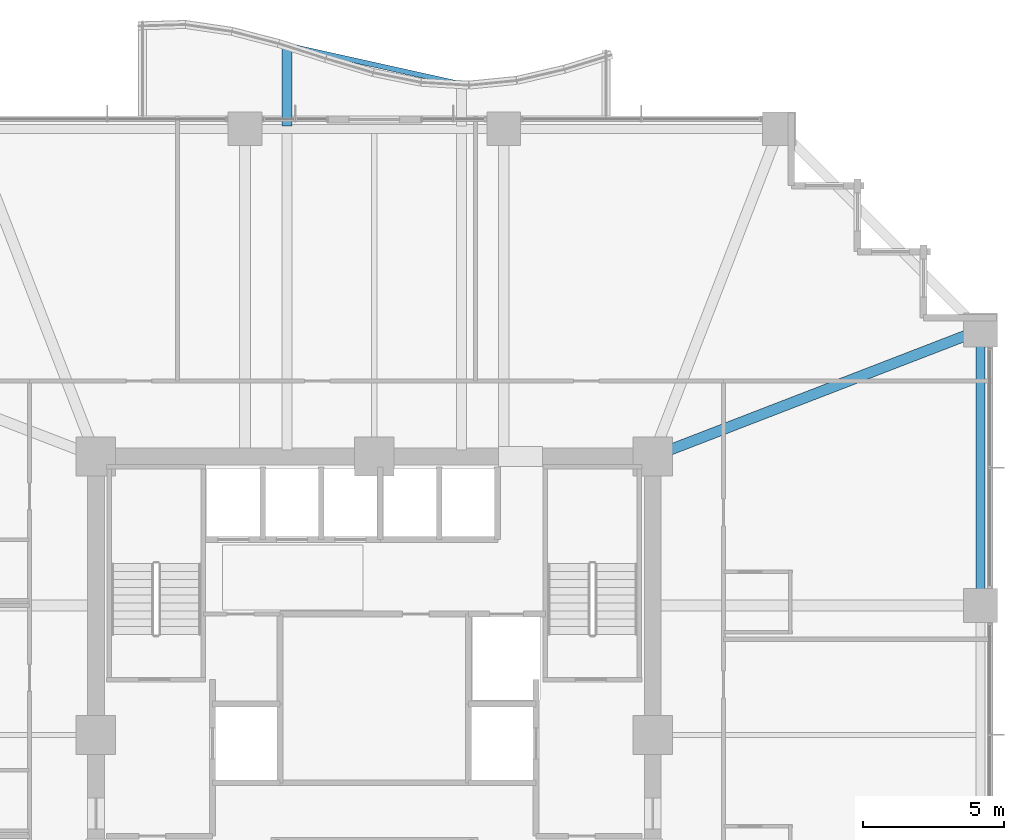
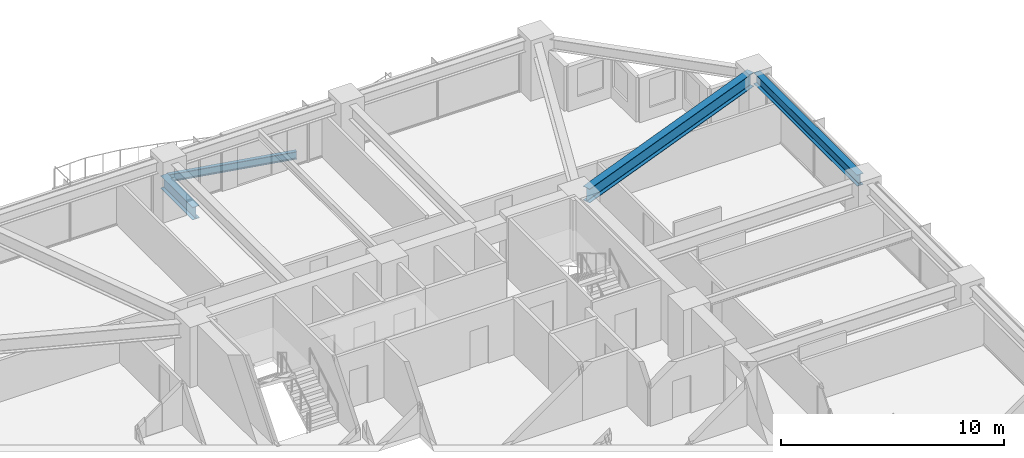
# One storey, part 23 of 38: 4 beams.
"""IFC4 building model written with IfcOpenShell, lengths in metres."""

import ifcopenshell
import ifcopenshell.guid

model = None  # the IFC model being written
_history = None  # IfcOwnerHistory: only IFC2X3 demands one
_inside = {}  # id of a spatial element -> (the spatial element, [elements in it])
_under = {}  # id of a project, library or spatial element -> (it, [spatial elements below it])
_declared = {}  # id of a project -> (the project, [libraries it declares])
_typed = {}  # id of a type object -> (the type object, [elements of that type])
_made_of = {}  # id of a material, layer set ... -> (it, [elements and type objects made of it])


def new_model(schema):
    """Start an empty IFC model of exactly this schema.

    Asked for "IFC4X3", IfcOpenShell would pick the latest addendum, in which some entities
    have other attributes; the version numbers below select the first issue.
    IFC2X3 requires an IfcOwnerHistory on every rooted entity: one is made here for all.
    """
    global model, _history
    if schema == "IFC4X3":
        model = ifcopenshell.file(schema_version=(4, 3, 0, 0))
    else:
        model = ifcopenshell.file(schema=schema)
    _inside.clear()
    _under.clear()
    _declared.clear()
    _typed.clear()
    _made_of.clear()
    _history = None
    if model.schema == "IFC2X3":
        org = make("IfcOrganization", Name="unknown")
        user = make(
            "IfcPersonAndOrganization",
            ThePerson=make("IfcPerson", FamilyName="unknown"),
            TheOrganization=org,
        )
        app = make(
            "IfcApplication",
            ApplicationDeveloper=org,
            Version="unknown",
            ApplicationFullName="unknown",
            ApplicationIdentifier="unknown",
        )
        _history = make(
            "IfcOwnerHistory",
            OwningUser=user,
            OwningApplication=app,
            ChangeAction="ADDED",
            CreationDate=0,
        )
    return model


def make(cls, **values):
    """One entity of the class cls with the attributes given. An attribute that is None is left unset."""
    return model.create_entity(
        cls, **{name: value for name, value in values.items() if value is not None}
    )


def rooted(cls, **values):
    """An entity with a GlobalId (a new one), such as an element, a storey or a relation."""
    return make(cls, GlobalId=ifcopenshell.guid.new(), OwnerHistory=_history, **values)


def si_unit(unit_type, name, prefix=None):
    """IfcSIUnit, for example si_unit("LENGTHUNIT", "METRE", prefix="MILLI")."""
    return make("IfcSIUnit", UnitType=unit_type, Prefix=prefix, Name=name)


def assignment(units):
    """IfcUnitAssignment: the units of a project."""
    return None if units is None else make("IfcUnitAssignment", Units=units)


def point(xyz):
    """IfcCartesianPoint."""
    return None if xyz is None else make("IfcCartesianPoint", Coordinates=xyz)


def direction(xyz):
    """IfcDirection."""
    return None if xyz is None else make("IfcDirection", DirectionRatios=xyz)


def frame(location, z_axis=None, x_axis=None):
    """IfcAxis2Placement3D, a coordinate frame: its origin and axes. An axis left out is left unset."""
    return make(
        "IfcAxis2Placement3D",
        Location=point(location),
        Axis=direction(z_axis),
        RefDirection=direction(x_axis),
    )


def frame_2d(location, x_axis=None):
    """IfcAxis2Placement2D, a coordinate frame in the plane: its origin and x axis."""
    return make(
        "IfcAxis2Placement2D", Location=point(location), RefDirection=direction(x_axis)
    )


def origin():
    """The frame at (0, 0, 0) with its axes left unset."""
    return frame((0.0, 0.0, 0.0))


def origin_2d():
    """The frame at (0, 0) in the plane with its x axis left unset."""
    return frame_2d((0.0, 0.0))


def place(relative_to, where):
    """IfcLocalPlacement: puts the frame where relative to a parent placement (None: the world)."""
    return make(
        "IfcLocalPlacement", PlacementRelTo=relative_to, RelativePlacement=where
    )


def context(
    kind, dimensions, precision=None, world=None, true_north=None, identifier=None
):
    """IfcGeometricRepresentationContext, for example the 3D "Model" context."""
    return make(
        "IfcGeometricRepresentationContext",
        ContextIdentifier=identifier,
        ContextType=kind,
        CoordinateSpaceDimension=dimensions,
        Precision=precision,
        WorldCoordinateSystem=world,
        TrueNorth=true_north,
    )


def subcontext(parent, identifier, kind, view, scale=None):
    """IfcGeometricRepresentationSubContext, for example "Body" below "Model"."""
    return make(
        "IfcGeometricRepresentationSubContext",
        ContextIdentifier=identifier,
        ContextType=kind,
        ParentContext=parent,
        TargetScale=scale,
        TargetView=view,
    )


def project(units=None, contexts=None):
    """IfcProject with its units and contexts."""
    return rooted(
        "IfcProject",
        Name="project",
        RepresentationContexts=contexts,
        UnitsInContext=assignment(units),
    )


def spatial(cls, under=None, at=None, **own):
    """A site, building, storey or space (cls), placed at a placement, below another one or the project."""
    s = rooted(cls, ObjectPlacement=at, **own)
    if under is not None:
        _under.setdefault(under.id(), (under, []))[1].append(s)
    return s


def profile(cls, at=None, kind="AREA", **sizes):
    """A parametric profile (cls). Its sizes go by their IFC names, for example OverallWidth=200.0."""
    return make(cls, ProfileType=kind, Position=at, **sizes)


def i_section(**sizes):
    """IfcIShapeProfileDef."""
    return profile("IfcIShapeProfileDef", **sizes)


def extrude(swept, where, along, depth):
    """IfcExtrudedAreaSolid: the profile swept, set in the frame where, extruded along a direction by depth."""
    return make(
        "IfcExtrudedAreaSolid",
        SweptArea=swept,
        Position=where,
        ExtrudedDirection=direction(along),
        Depth=depth,
    )


def shape(context_of_items, identifier, shape_type, items):
    """IfcShapeRepresentation: the items that make up one representation, for example the "Body"."""
    return make(
        "IfcShapeRepresentation",
        ContextOfItems=context_of_items,
        RepresentationIdentifier=identifier,
        RepresentationType=shape_type,
        Items=items,
    )


def material(Name=None, Category=None):
    """IfcMaterial."""
    return make("IfcMaterial", Name=Name, Category=Category)


def material_profile(
    of_material, cross_section, Name=None, Category=None, Priority=None
):
    """IfcMaterialProfile: a cross section and its material."""
    return make(
        "IfcMaterialProfile",
        Name=Name,
        Material=of_material,
        Profile=cross_section,
        Priority=Priority,
        Category=Category,
    )


def profile_set(profiles, Name=None, composite=None):
    """IfcMaterialProfileSet."""
    return make(
        "IfcMaterialProfileSet",
        Name=Name,
        MaterialProfiles=profiles,
        CompositeProfile=composite,
    )


def made_of(thing, what):
    """Note that an element or type object is made of a material, layer set ...; save() writes the relation."""
    if what is not None:
        _made_of.setdefault(what.id(), (what, []))[1].append(thing)
    return thing


def type_object(cls, material=None, **own):
    """A type object (cls), such as IfcWallType, which elements share."""
    return made_of(rooted(cls, **own), material)


def element(
    cls,
    number,
    at=None,
    inside=None,
    cuts=None,
    type_object=None,
    material=None,
    context=None,
    identifier="Body",
    shape_type=None,
    held_by="IfcProductDefinitionShape",
    body=None,
    shapes=None,
    **own,
):
    """One element of the class cls, such as IfcWall. Its Tag is "e" and its number.

    at: its placement. inside: the storey or other place that contains it. cuts: it is an
    opening in that element (IfcRelVoidsElement). A single representation is given by context,
    identifier, shape_type and body (its items); several are given by shapes. held_by: the class
    of the entity that holds the representations. save() writes the other relations.
    """
    e = rooted(cls, Tag="e%d" % number, ObjectPlacement=at, **own)
    if body is not None:
        shapes = [shape(context, identifier, shape_type, body)]
    if shapes is not None:
        e.Representation = make(held_by, Representations=shapes)
    if inside is not None:
        _inside.setdefault(inside.id(), (inside, []))[1].append(e)
    if cuts is not None:
        rooted(
            "IfcRelVoidsElement", RelatingBuildingElement=cuts, RelatedOpeningElement=e
        )
    if type_object is not None:
        _typed.setdefault(type_object.id(), (type_object, []))[1].append(e)
    return made_of(e, material)


def aggregate(whole, parts):
    """IfcRelAggregates: a whole, such as a stair, and the parts it consists of."""
    return rooted("IfcRelAggregates", RelatingObject=whole, RelatedObjects=parts)


def save(model, path):
    """Write the relations noted so far, then the file.

    IfcRelAggregates (storeys below a building ...), IfcRelContainedInSpatialStructure (elements
    in a storey), IfcRelDefinesByType, IfcRelAssociatesMaterial and IfcRelDeclares: one each for
    every whole, place, type object, material and project.
    """
    for whole, parts in _under.values():
        aggregate(whole, parts)
    for where, things in _inside.values():
        rooted(
            "IfcRelContainedInSpatialStructure",
            RelatedElements=things,
            RelatingStructure=where,
        )
    for kind, things in _typed.values():
        rooted("IfcRelDefinesByType", RelatedObjects=things, RelatingType=kind)
    for what, things in _made_of.values():
        rooted("IfcRelAssociatesMaterial", RelatedObjects=things, RelatingMaterial=what)
    for by, libraries in _declared.values():
        rooted("IfcRelDeclares", RelatingContext=by, RelatedDefinitions=libraries)
    model.write(path)


model = new_model("IFC4")

# Units and contexts
model_context = context("Model", 3, precision=1e-05, world=origin(), true_north=direction((0.0, 1.0)))
body_context = subcontext(model_context, "Body", "Model", "MODEL_VIEW")
ifc_project = project(units=[si_unit("LENGTHUNIT", "METRE"), si_unit("AREAUNIT", "SQUARE_METRE"), si_unit("VOLUMEUNIT", "CUBIC_METRE"), si_unit("PLANEANGLEUNIT", "RADIAN"), si_unit("MASSUNIT", "GRAM", prefix="KILO")], contexts=[model_context])

# Site, building, storey
site_placement = place(None, origin())
site = spatial("IfcSite", under=ifc_project, at=site_placement, CompositionType="ELEMENT")
building_placement = place(site_placement, origin())
building = spatial("IfcBuilding", under=site, at=building_placement, Name="Kolvaren Belvedere", CompositionType="ELEMENT")
storey_placement = place(building_placement, frame((0.0, 0.0, 30.39990234375)))
storey = spatial("IfcBuildingStorey", under=building, at=storey_placement, Name="L08", CompositionType="ELEMENT", Elevation=30.39990234375)

# Beams
ifc_material_1 = material(Name="Structural steel ASTM A992 Grade 50", Category="steel")
ifc_material_profile_1 = material_profile(ifc_material_1, i_section(OverallWidth=0.35498046875, OverallDepth=0.696044921875, WebThickness=0.015380859375, FlangeThickness=0.02490234375, FilletRadius=0.02197265625, at=origin_2d()), Name="W27X146")
ifc_profile_set_1 = profile_set([ifc_material_profile_1], Name="Structural steel ASTM A992 Grade 50")
beam_type_1 = type_object("IfcBeamType", Name="BM-CANT-BAL", PredefinedType="BEAM", material=ifc_profile_set_1)
beam_1_placement = place(storey_placement, frame((-3.10009765625, 21.64501953125, -0.587890625), z_axis=(0.0, 1.0, 0.0), x_axis=(-1.0, 0.0, 0.0)))
element("IfcBeam", 1, at=beam_1_placement, inside=storey, type_object=beam_type_1, Name="L08 Planted Balcony Cantilever BAL-N-1", PredefinedType="BEAM", context=body_context, shape_type="SweptSolid", body=[
    extrude(i_section(OverallWidth=0.35498046875, OverallDepth=0.696044921875, WebThickness=0.015380859375, FlangeThickness=0.02490234375, FilletRadius=0.02197265625, at=origin_2d()), origin(), (0.0, 0.0, 1.0), 2.8701171875),
])
ifc_material_2 = material(Name="Structural steel ASTM A992 Grade 50", Category="steel")
ifc_material_profile_2 = material_profile(ifc_material_2, i_section(OverallWidth=0.180908203125, OverallDepth=0.4169921875, WebThickness=0.010986328125, FlangeThickness=0.018310546875, FilletRadius=0.013916015625, at=origin_2d()), Name="W16X57")
ifc_profile_set_2 = profile_set([ifc_material_profile_2], Name="Structural steel ASTM A992 Grade 50")
beam_type_2 = type_object("IfcBeamType", Name="BM-EDGE-W16X57", PredefinedType="BEAM", material=ifc_profile_set_2)
beam_2_placement = place(storey_placement, frame((-2.96337890625, 24.484619140625, -0.448486328125), z_axis=(0.976209763329, -0.216828268408, 0.0), x_axis=(0.216828268408, 0.976209763329, 0.0)))
element("IfcBeam", 2, at=beam_2_placement, inside=storey, type_object=beam_type_2, Name="L08 Balcony Tip Header Beam BAL-N", PredefinedType="BEAM", context=body_context, shape_type="SweptSolid", body=[
    extrude(i_section(OverallWidth=0.180908203125, OverallDepth=0.4169921875, WebThickness=0.010986328125, FlangeThickness=0.018310546875, FilletRadius=0.013916015625, at=origin_2d()), origin(), (0.0, 0.0, 1.0), 6.0712890625),
])
ifc_material_3 = material(Name="Structural steel ASTM A992 Grade 50", Category="steel")
ifc_material_profile_3 = material_profile(ifc_material_3, i_section(OverallWidth=0.381103515625, OverallDepth=0.77294921875, WebThickness=0.0166015625, FlangeThickness=0.027099609375, FilletRadius=0.02392578125, at=origin_2d()), Name="W30X173")
ifc_profile_set_3 = profile_set([ifc_material_profile_3], Name="Structural steel ASTM A992 Grade 50")
beam_type_3 = type_object("IfcBeamType", Name="BM-GIRD-W30X173", PredefinedType="BEAM", material=ifc_profile_set_3)
beam_3_placement = place(storey_placement, frame((10.4130859375, 10.09814453125, 2.673583984375), z_axis=(0.932829382313, 0.360318391835, 0.0), x_axis=(-0.360318391835, 0.932829382313, 0.0)))
element("IfcBeam", 3, at=beam_3_placement, inside=storey, type_object=beam_type_3, Name="L08 Corner Core-to-Perimeter Girder CC3-E4", PredefinedType="BEAM", context=body_context, shape_type="SweptSolid", body=[
    extrude(i_section(OverallWidth=0.381103515625, OverallDepth=0.77294921875, WebThickness=0.0166015625, FlangeThickness=0.027099609375, FilletRadius=0.02392578125, at=origin_2d()), origin(), (0.0, 0.0, 1.0), 11.698974609375),
])
ifc_material_4 = material(Name="Structural steel ASTM A992 Grade 50", Category="steel")
ifc_material_profile_4 = material_profile(ifc_material_4, i_section(OverallWidth=0.324951171875, OverallDepth=0.615966796875, WebThickness=0.013916015625, FlangeThickness=0.021484375, FilletRadius=0.02001953125, at=origin_2d()), Name="W24X117")
ifc_profile_set_4 = profile_set([ifc_material_profile_4], Name="Structural steel ASTM A992 Grade 50")
beam_type_4 = type_object("IfcBeamType", Name="BM-SPAN-W24X117", PredefinedType="SPANDREL", material=ifc_profile_set_4)
beam_4_placement = place(storey_placement, frame((21.550048828125, 4.8701171875, 2.752197265625), z_axis=(0.0, 1.0, 0.0), x_axis=(-1.0, 0.0, 0.0)))
element("IfcBeam", 4, at=beam_4_placement, inside=storey, type_object=beam_type_4, Name="L08 Perimeter Spandrel E3-E4", PredefinedType="SPANDREL", context=body_context, shape_type="SweptSolid", body=[
    extrude(i_section(OverallWidth=0.324951171875, OverallDepth=0.615966796875, WebThickness=0.013916015625, FlangeThickness=0.021484375, FilletRadius=0.02001953125, at=origin_2d()), origin(), (0.0, 0.0, 1.0), 9.259765625),
])

save(model, "model.ifc")
